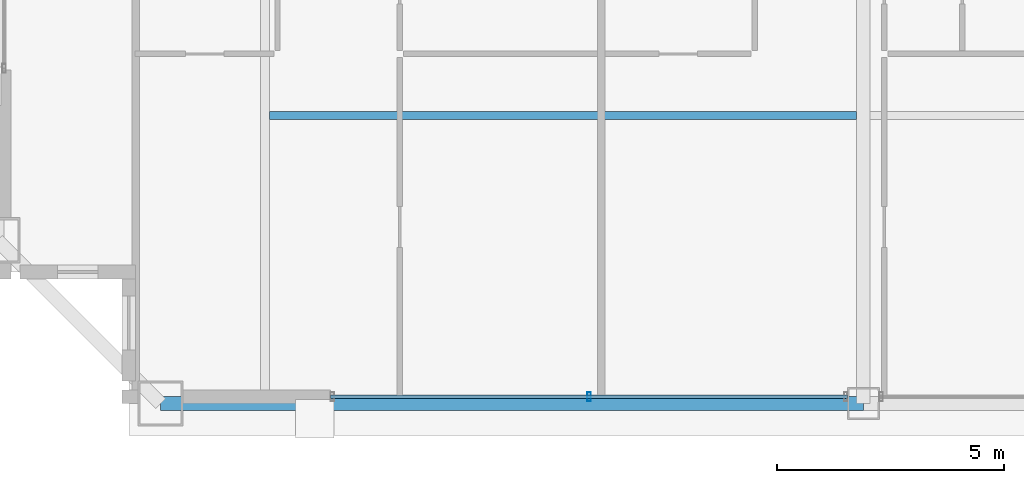
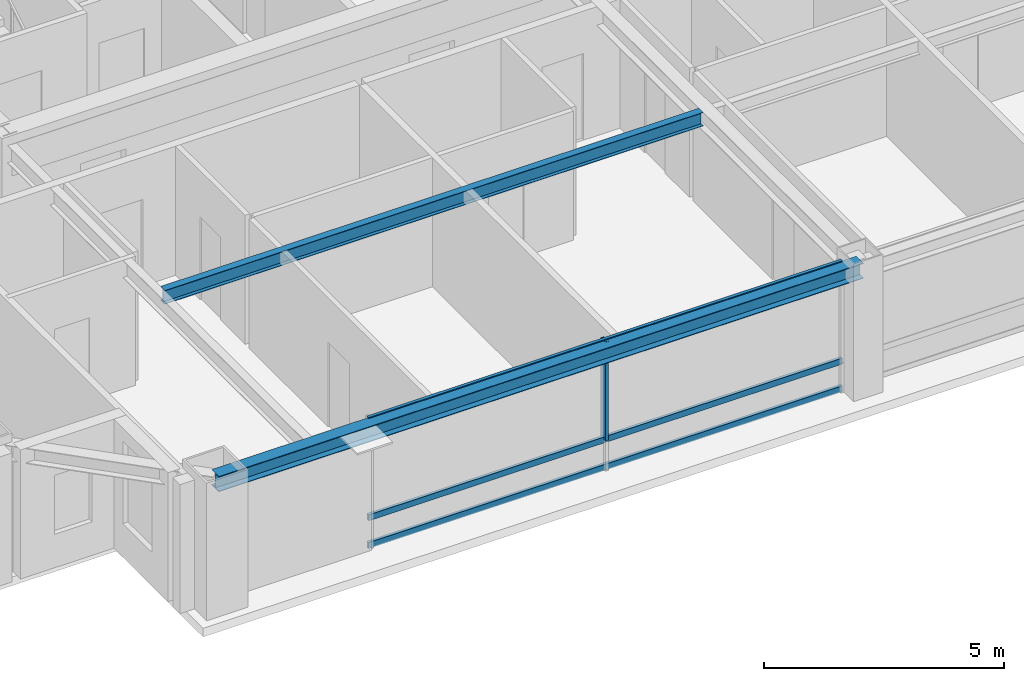
# One storey, part 5 of 35: 4 members, 2 beams, 1 element without a shape of its own.
"""IFC4 building model written with IfcOpenShell, lengths in metres."""

from ifc_helpers import new_model, si_unit, direction, frame, origin, origin_2d, place, context, subcontext, project, spatial, hollow_rectangle, i_section, extrude, source, transform, mapped, material, layer, layer_set, material_profile, profile_set, type_object, element, aggregate, save


model = new_model("IFC4")

# Units and contexts
model_context = context("Model", 3, precision=1e-05, world=origin(), true_north=direction((0.0, 1.0)))
body_context = subcontext(model_context, "Body", "Model", "MODEL_VIEW")
ifc_project = project(units=[si_unit("LENGTHUNIT", "METRE"), si_unit("AREAUNIT", "SQUARE_METRE"), si_unit("VOLUMEUNIT", "CUBIC_METRE"), si_unit("PLANEANGLEUNIT", "RADIAN"), si_unit("MASSUNIT", "GRAM", prefix="KILO"), si_unit("THERMODYNAMICTEMPERATUREUNIT", "KELVIN"), si_unit("POWERUNIT", "WATT")], contexts=[model_context])

# Site, building, storey
site_placement = place(None, origin())
site = spatial("IfcSite", under=ifc_project, at=site_placement, CompositionType="ELEMENT")
building_placement = place(site_placement, origin())
building = spatial("IfcBuilding", under=site, at=building_placement, Name="Yuzanri Waterfront Tower", CompositionType="ELEMENT")
storey_placement = place(building_placement, frame((0.0, 0.0, 311.199951171875)))
storey = spatial("IfcBuildingStorey", under=building, at=storey_placement, Name="L83", CompositionType="ELEMENT", Elevation=311.199951171875)

# Beams
ifc_material_1 = material(Name="Steel Q355B", Category="steel")
ifc_material_profile_1 = material_profile(ifc_material_1, i_section(OverallWidth=0.175048828125, OverallDepth=0.35009765625, WebThickness=0.007080078125, FlangeThickness=0.010986328125, at=origin_2d()), Name="HN 350x175x7x11")
ifc_profile_set_1 = profile_set([ifc_material_profile_1], Name="Steel Q355B")
beam_type_1 = type_object("IfcBeamType", Name="Floor Joist Q355B HN 350x175", PredefinedType="JOIST", material=ifc_profile_set_1)
shared_shape_1 = source(origin(), body_context, "Body", "SweptSolid", [
    extrude(i_section(OverallWidth=0.175048828125, OverallDepth=0.35009765625, WebThickness=0.007080078125, FlangeThickness=0.010986328125, at=origin_2d()), origin(), (0.0, 0.0, 1.0), 12.9501953125),
])
beam_1_placement = place(storey_placement, frame((23.89990234375, 13.050048828125, 3.10498046875), z_axis=(1.0, 0.0, 0.0), x_axis=(0.0, 1.0, 0.0)))
element("IfcBeam", 1, at=beam_1_placement, inside=storey, type_object=beam_type_1, Name="L83 South Bay Joist W", PredefinedType="JOIST", context=body_context, shape_type="MappedRepresentation", body=[
    mapped(shared_shape_1, transform((0.0, 0.0, 0.0), scale=1.0)),
])
ifc_material_2 = material(Name="Steel Q355B", Category="steel")
ifc_material_profile_2 = material_profile(ifc_material_2, i_section(OverallWidth=0.300048828125, OverallDepth=0.389892578125, WebThickness=0.010009765625, FlangeThickness=0.01611328125, at=origin_2d()), Name="HM 390x300x10x16")
ifc_profile_set_2 = profile_set([ifc_material_profile_2], Name="Steel Q355B")
beam_type_2 = type_object("IfcBeamType", Name="Perimeter Spandrel Q355B HM 390x300", PredefinedType="SPANDREL", material=ifc_profile_set_2)
shared_shape_2 = source(origin(), body_context, "Body", "SweptSolid", [
    extrude(i_section(OverallWidth=0.300048828125, OverallDepth=0.389892578125, WebThickness=0.010009765625, FlangeThickness=0.01611328125, at=origin_2d()), origin(), (0.0, 0.0, 1.0), 15.5),
])
beam_2_placement = place(storey_placement, frame((21.5, 6.699951171875, 3.0849609375), z_axis=(1.0, 0.0, 0.0), x_axis=(0.0, 1.0, 0.0)))
element("IfcBeam", 2, at=beam_2_placement, inside=storey, type_object=beam_type_2, Name="L83 Perimeter Spandrel S1-S2", PredefinedType="SPANDREL", context=body_context, shape_type="MappedRepresentation", body=[
    mapped(shared_shape_2, transform((0.0, 0.0, 0.0), scale=1.0)),
])

# Curtain wall, members
ifc_material_3 = material(Name="Anodized Architectural Bronze", Category="metal")
ifc_layer = layer(ifc_material_3, 0.159912109375)
ifc_layer_set = layer_set([ifc_layer], Name="Anodized Architectural Bronze")
curtain_wall_type = type_object("IfcCurtainWallType", Name="Anodized Bronze High-Rise Penthouse High-Wind Unitized Curtain Wall 6900", PredefinedType="NOTDEFINED", material=ifc_layer_set)
curtain_wall_placement = place(storey_placement, origin())
curtain_wall = element("IfcCurtainWall", 3, at=curtain_wall_placement, inside=storey, type_object=curtain_wall_type, Name="L83 Curtain Wall CW-L83-SL", PredefinedType="NOTDEFINED")
ifc_material_4 = material(Name="Anodized Architectural Bronze", Category="metal")
ifc_material_profile_3 = material_profile(ifc_material_4, hollow_rectangle(XDim=0.074951171875, YDim=0.199951171875, WallThickness=0.00390625, at=origin_2d()), Name="CWM 75x200")
ifc_profile_set_3 = profile_set([ifc_material_profile_3], Name="Anodized Architectural Bronze")
member_type_1 = type_object("IfcMemberType", Name="Anodized Bronze Primary Curtain-Wall Mullion 75x200", PredefinedType="MULLION", material=ifc_profile_set_3)
shared_shape_3 = source(origin(), body_context, "Body", "SweptSolid", [
    extrude(hollow_rectangle(XDim=0.074951171875, YDim=0.199951171875, WallThickness=0.00390625, at=origin_2d()), origin(), (0.0, 0.0, 1.0), 2.52392578125),
])
member_1_placement = place(storey_placement, frame((30.949951171875, 6.85009765625, 0.756103515625), z_axis=(0.0, 0.0, 1.0), x_axis=(1.0, 0.0, 0.0)))
member_1 = element("IfcMember", 4, at=member_1_placement, type_object=member_type_1, Name="CW-L83-SL Upper Mullion 01", PredefinedType="MULLION", context=body_context, shape_type="MappedRepresentation", body=[
    mapped(shared_shape_3, transform((0.0, 0.0, 0.0), scale=1.0)),
])
ifc_material_5 = material(Name="Anodized Architectural Bronze", Category="metal")
ifc_material_profile_4 = material_profile(ifc_material_5, hollow_rectangle(XDim=0.074951171875, YDim=0.14990234375, WallThickness=0.00390625, at=origin_2d()), Name="CWT 75x150")
ifc_profile_set_4 = profile_set([ifc_material_profile_4], Name="Anodized Architectural Bronze")
member_type_2 = type_object("IfcMemberType", Name="Anodized Bronze Primary Curtain-Wall Transom 75x150", PredefinedType="USERDEFINED", material=ifc_profile_set_4)
shared_shape_4 = source(origin(), body_context, "Body", "SweptSolid", [
    extrude(hollow_rectangle(XDim=0.074951171875, YDim=0.14990234375, WallThickness=0.00390625, at=origin_2d()), origin(), (0.0, 0.0, 1.0), 11.39990234375),
])
member_2_placement = place(storey_placement, frame((25.25, 6.85009765625, 0.050048828125), z_axis=(1.0, 0.0, 0.0), x_axis=(0.0, 1.0, 0.0)))
member_2 = element("IfcMember", 5, at=member_2_placement, type_object=member_type_2, Name="CW-L83-SL Transom 1", ObjectType="TRANSOM", PredefinedType="USERDEFINED", context=body_context, shape_type="MappedRepresentation", body=[
    mapped(shared_shape_4, transform((0.0, 0.0, 0.0), scale=1.0)),
])
member_3_placement = place(storey_placement, frame((25.25, 6.85009765625, 0.754150390625), z_axis=(1.0, 0.0, 0.0), x_axis=(0.0, 1.0, 0.0)))
member_3 = element("IfcMember", 6, at=member_3_placement, type_object=member_type_2, Name="CW-L83-SL Transom 2", ObjectType="TRANSOM", PredefinedType="USERDEFINED", context=body_context, shape_type="MappedRepresentation", body=[
    mapped(shared_shape_4, transform((0.0, 0.0, 0.0), scale=1.0)),
])
member_4_placement = place(storey_placement, frame((25.25, 6.85009765625, 3.22998046875), z_axis=(1.0, 0.0, 0.0), x_axis=(0.0, 1.0, 0.0)))
member_4 = element("IfcMember", 7, at=member_4_placement, type_object=member_type_2, Name="CW-L83-SL Transom 3", ObjectType="TRANSOM", PredefinedType="USERDEFINED", context=body_context, shape_type="MappedRepresentation", body=[
    mapped(shared_shape_4, transform((0.0, 0.0, 0.0), scale=1.0)),
])
aggregate(curtain_wall, [member_1, member_2, member_3, member_4])

save(model, "model.ifc")
